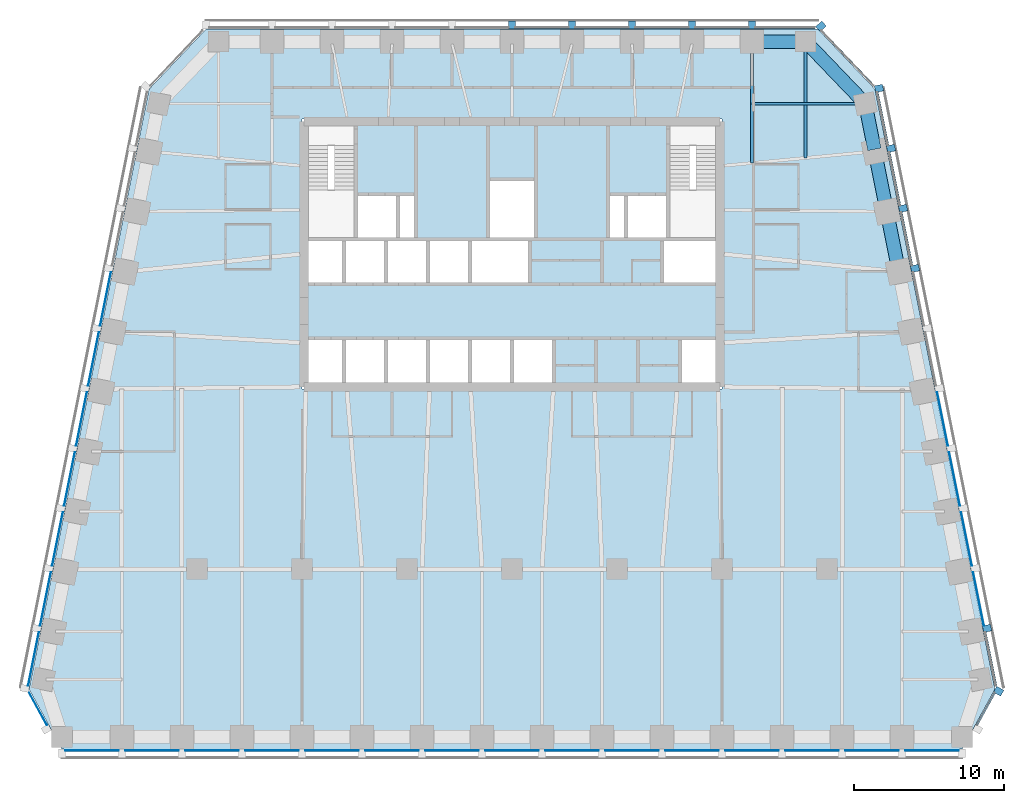
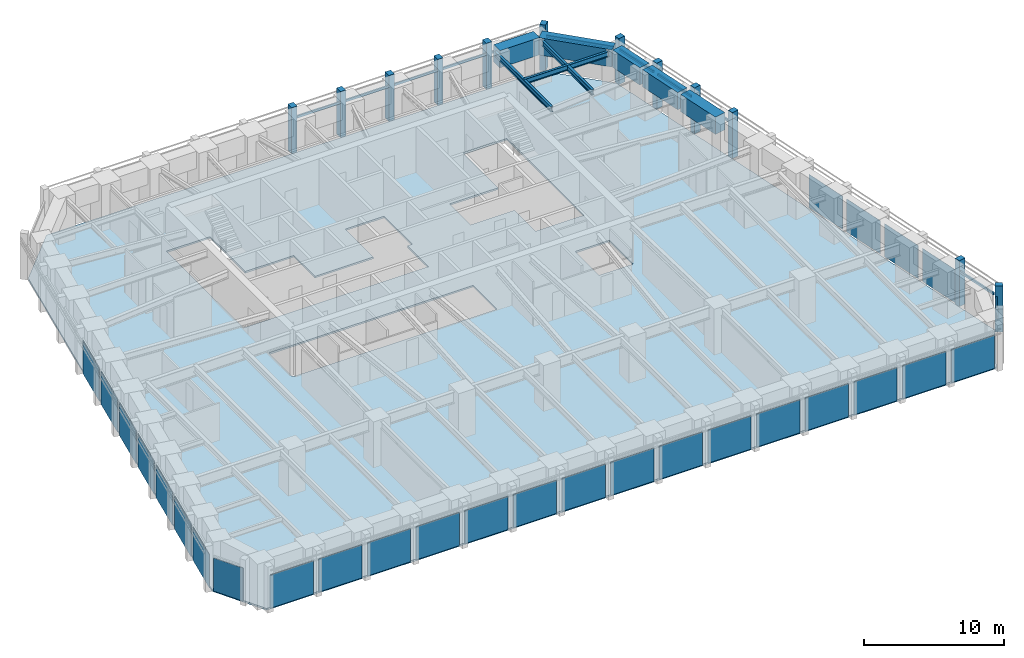
# One storey, part 4 of 10: 27 plates, 23 members, 8 beams, 1 slab, 7 elements without a shape of their own.
"""IFC4 building model written with IfcOpenShell, lengths in metres."""

import ifcopenshell
import ifcopenshell.guid

model = None  # the IFC model being written
_history = None  # IfcOwnerHistory: only IFC2X3 demands one
_inside = {}  # id of a spatial element -> (the spatial element, [elements in it])
_under = {}  # id of a project, library or spatial element -> (it, [spatial elements below it])
_declared = {}  # id of a project -> (the project, [libraries it declares])
_typed = {}  # id of a type object -> (the type object, [elements of that type])
_made_of = {}  # id of a material, layer set ... -> (it, [elements and type objects made of it])


def new_model(schema):
    """Start an empty IFC model of exactly this schema.

    Asked for "IFC4X3", IfcOpenShell would pick the latest addendum, in which some entities
    have other attributes; the version numbers below select the first issue.
    IFC2X3 requires an IfcOwnerHistory on every rooted entity: one is made here for all.
    """
    global model, _history
    if schema == "IFC4X3":
        model = ifcopenshell.file(schema_version=(4, 3, 0, 0))
    else:
        model = ifcopenshell.file(schema=schema)
    _inside.clear()
    _under.clear()
    _declared.clear()
    _typed.clear()
    _made_of.clear()
    _history = None
    if model.schema == "IFC2X3":
        org = make("IfcOrganization", Name="unknown")
        user = make(
            "IfcPersonAndOrganization",
            ThePerson=make("IfcPerson", FamilyName="unknown"),
            TheOrganization=org,
        )
        app = make(
            "IfcApplication",
            ApplicationDeveloper=org,
            Version="unknown",
            ApplicationFullName="unknown",
            ApplicationIdentifier="unknown",
        )
        _history = make(
            "IfcOwnerHistory",
            OwningUser=user,
            OwningApplication=app,
            ChangeAction="ADDED",
            CreationDate=0,
        )
    return model


def make(cls, **values):
    """One entity of the class cls with the attributes given. An attribute that is None is left unset."""
    return model.create_entity(
        cls, **{name: value for name, value in values.items() if value is not None}
    )


def rooted(cls, **values):
    """An entity with a GlobalId (a new one), such as an element, a storey or a relation."""
    return make(cls, GlobalId=ifcopenshell.guid.new(), OwnerHistory=_history, **values)


def si_unit(unit_type, name, prefix=None):
    """IfcSIUnit, for example si_unit("LENGTHUNIT", "METRE", prefix="MILLI")."""
    return make("IfcSIUnit", UnitType=unit_type, Prefix=prefix, Name=name)


def assignment(units):
    """IfcUnitAssignment: the units of a project."""
    return None if units is None else make("IfcUnitAssignment", Units=units)


def point(xyz):
    """IfcCartesianPoint."""
    return None if xyz is None else make("IfcCartesianPoint", Coordinates=xyz)


def direction(xyz):
    """IfcDirection."""
    return None if xyz is None else make("IfcDirection", DirectionRatios=xyz)


def frame(location, z_axis=None, x_axis=None):
    """IfcAxis2Placement3D, a coordinate frame: its origin and axes. An axis left out is left unset."""
    return make(
        "IfcAxis2Placement3D",
        Location=point(location),
        Axis=direction(z_axis),
        RefDirection=direction(x_axis),
    )


def frame_2d(location, x_axis=None):
    """IfcAxis2Placement2D, a coordinate frame in the plane: its origin and x axis."""
    return make(
        "IfcAxis2Placement2D", Location=point(location), RefDirection=direction(x_axis)
    )


def origin():
    """The frame at (0, 0, 0) with its axes left unset."""
    return frame((0.0, 0.0, 0.0))


def origin_2d():
    """The frame at (0, 0) in the plane with its x axis left unset."""
    return frame_2d((0.0, 0.0))


def place(relative_to, where):
    """IfcLocalPlacement: puts the frame where relative to a parent placement (None: the world)."""
    return make(
        "IfcLocalPlacement", PlacementRelTo=relative_to, RelativePlacement=where
    )


def context(
    kind, dimensions, precision=None, world=None, true_north=None, identifier=None
):
    """IfcGeometricRepresentationContext, for example the 3D "Model" context."""
    return make(
        "IfcGeometricRepresentationContext",
        ContextIdentifier=identifier,
        ContextType=kind,
        CoordinateSpaceDimension=dimensions,
        Precision=precision,
        WorldCoordinateSystem=world,
        TrueNorth=true_north,
    )


def subcontext(parent, identifier, kind, view, scale=None):
    """IfcGeometricRepresentationSubContext, for example "Body" below "Model"."""
    return make(
        "IfcGeometricRepresentationSubContext",
        ContextIdentifier=identifier,
        ContextType=kind,
        ParentContext=parent,
        TargetScale=scale,
        TargetView=view,
    )


def project(units=None, contexts=None):
    """IfcProject with its units and contexts."""
    return rooted(
        "IfcProject",
        Name="project",
        RepresentationContexts=contexts,
        UnitsInContext=assignment(units),
    )


def spatial(cls, under=None, at=None, **own):
    """A site, building, storey or space (cls), placed at a placement, below another one or the project."""
    s = rooted(cls, ObjectPlacement=at, **own)
    if under is not None:
        _under.setdefault(under.id(), (under, []))[1].append(s)
    return s


def polyline(points):
    """IfcPolyline through the points."""
    return make("IfcPolyline", Points=[point(p) for p in points])


def profile(cls, at=None, kind="AREA", **sizes):
    """A parametric profile (cls). Its sizes go by their IFC names, for example OverallWidth=200.0."""
    return make(cls, ProfileType=kind, Position=at, **sizes)


def rectangle(**sizes):
    """IfcRectangleProfileDef."""
    return profile("IfcRectangleProfileDef", **sizes)


def i_section(**sizes):
    """IfcIShapeProfileDef."""
    return profile("IfcIShapeProfileDef", **sizes)


def outline(outer, holes=None, kind="AREA"):
    """IfcArbitraryClosedProfileDef: a profile drawn as a closed curve; with holes, ...WithVoids."""
    if holes is None:
        return make("IfcArbitraryClosedProfileDef", ProfileType=kind, OuterCurve=outer)
    return make(
        "IfcArbitraryProfileDefWithVoids",
        ProfileType=kind,
        OuterCurve=outer,
        InnerCurves=holes,
    )


def extrude(swept, where, along, depth):
    """IfcExtrudedAreaSolid: the profile swept, set in the frame where, extruded along a direction by depth."""
    return make(
        "IfcExtrudedAreaSolid",
        SweptArea=swept,
        Position=where,
        ExtrudedDirection=direction(along),
        Depth=depth,
    )


def shape(context_of_items, identifier, shape_type, items):
    """IfcShapeRepresentation: the items that make up one representation, for example the "Body"."""
    return make(
        "IfcShapeRepresentation",
        ContextOfItems=context_of_items,
        RepresentationIdentifier=identifier,
        RepresentationType=shape_type,
        Items=items,
    )


def material(Name=None, Category=None):
    """IfcMaterial."""
    return make("IfcMaterial", Name=Name, Category=Category)


def layer(
    of_material, thickness, ventilated=None, Name=None, Category=None, Priority=None
):
    """IfcMaterialLayer: one layer of a wall or slab, of a material (None: an air gap)."""
    return make(
        "IfcMaterialLayer",
        Material=of_material,
        LayerThickness=thickness,
        IsVentilated=ventilated,
        Name=Name,
        Category=Category,
        Priority=Priority,
    )


def layer_set(layers, Name=None):
    """IfcMaterialLayerSet."""
    return make("IfcMaterialLayerSet", MaterialLayers=layers, LayerSetName=Name)


def material_profile(
    of_material, cross_section, Name=None, Category=None, Priority=None
):
    """IfcMaterialProfile: a cross section and its material."""
    return make(
        "IfcMaterialProfile",
        Name=Name,
        Material=of_material,
        Profile=cross_section,
        Priority=Priority,
        Category=Category,
    )


def profile_set(profiles, Name=None, composite=None):
    """IfcMaterialProfileSet."""
    return make(
        "IfcMaterialProfileSet",
        Name=Name,
        MaterialProfiles=profiles,
        CompositeProfile=composite,
    )


def made_of(thing, what):
    """Note that an element or type object is made of a material, layer set ...; save() writes the relation."""
    if what is not None:
        _made_of.setdefault(what.id(), (what, []))[1].append(thing)
    return thing


def type_object(cls, material=None, **own):
    """A type object (cls), such as IfcWallType, which elements share."""
    return made_of(rooted(cls, **own), material)


def element(
    cls,
    number,
    at=None,
    inside=None,
    cuts=None,
    type_object=None,
    material=None,
    context=None,
    identifier="Body",
    shape_type=None,
    held_by="IfcProductDefinitionShape",
    body=None,
    shapes=None,
    **own,
):
    """One element of the class cls, such as IfcWall. Its Tag is "e" and its number.

    at: its placement. inside: the storey or other place that contains it. cuts: it is an
    opening in that element (IfcRelVoidsElement). A single representation is given by context,
    identifier, shape_type and body (its items); several are given by shapes. held_by: the class
    of the entity that holds the representations. save() writes the other relations.
    """
    e = rooted(cls, Tag="e%d" % number, ObjectPlacement=at, **own)
    if body is not None:
        shapes = [shape(context, identifier, shape_type, body)]
    if shapes is not None:
        e.Representation = make(held_by, Representations=shapes)
    if inside is not None:
        _inside.setdefault(inside.id(), (inside, []))[1].append(e)
    if cuts is not None:
        rooted(
            "IfcRelVoidsElement", RelatingBuildingElement=cuts, RelatedOpeningElement=e
        )
    if type_object is not None:
        _typed.setdefault(type_object.id(), (type_object, []))[1].append(e)
    return made_of(e, material)


def aggregate(whole, parts):
    """IfcRelAggregates: a whole, such as a stair, and the parts it consists of."""
    return rooted("IfcRelAggregates", RelatingObject=whole, RelatedObjects=parts)


def save(model, path):
    """Write the relations noted so far, then the file.

    IfcRelAggregates (storeys below a building ...), IfcRelContainedInSpatialStructure (elements
    in a storey), IfcRelDefinesByType, IfcRelAssociatesMaterial and IfcRelDeclares: one each for
    every whole, place, type object, material and project.
    """
    for whole, parts in _under.values():
        aggregate(whole, parts)
    for where, things in _inside.values():
        rooted(
            "IfcRelContainedInSpatialStructure",
            RelatedElements=things,
            RelatingStructure=where,
        )
    for kind, things in _typed.values():
        rooted("IfcRelDefinesByType", RelatedObjects=things, RelatingType=kind)
    for what, things in _made_of.values():
        rooted("IfcRelAssociatesMaterial", RelatedObjects=things, RelatingMaterial=what)
    for by, libraries in _declared.values():
        rooted("IfcRelDeclares", RelatingContext=by, RelatedDefinitions=libraries)
    model.write(path)


model = new_model("IFC4")

# Units and contexts
model_context = context("Model", 3, precision=1e-05, world=origin(), true_north=direction((0.0, 1.0)))
body_context = subcontext(model_context, "Body", "Model", "MODEL_VIEW")
ifc_project = project(units=[si_unit("LENGTHUNIT", "METRE"), si_unit("AREAUNIT", "SQUARE_METRE"), si_unit("VOLUMEUNIT", "CUBIC_METRE"), si_unit("PLANEANGLEUNIT", "RADIAN"), si_unit("MASSUNIT", "GRAM", prefix="KILO")], contexts=[model_context])

# Site, building, storey
site_placement = place(None, origin())
site = spatial("IfcSite", under=ifc_project, at=site_placement, CompositionType="ELEMENT")
building_placement = place(site_placement, origin())
building = spatial("IfcBuilding", under=site, at=building_placement, Name="Isbrekke Arena Tower", CompositionType="ELEMENT")
storey_placement = place(building_placement, frame((0.0, 0.0, 218.0)))
storey = spatial("IfcBuildingStorey", under=building, at=storey_placement, Name="L50", CompositionType="ELEMENT", Elevation=218.0)

# Beams
ifc_material_1 = material(Name="Steel S355", Category="steel")
ifc_material_profile_1 = material_profile(ifc_material_1, i_section(OverallWidth=0.18994140625, OverallDepth=0.449951171875, WebThickness=0.009521484375, FlangeThickness=0.0146484375, FilletRadius=0.02099609375, at=origin_2d()), Name="IPE 450")
ifc_profile_set_1 = profile_set([ifc_material_profile_1], Name="Steel S355")
beam_type_1 = type_object("IfcBeamType", Name="B2 IPE 450", PredefinedType="BEAM", material=ifc_profile_set_1)
beam_1_placement = place(storey_placement, frame((23.40283203125, 25.029296875, 3.625), z_axis=(-1.0, 0.0, 0.0), x_axis=(0.0, -1.0, 0.0)))
element("IfcBeam", 1, at=beam_1_placement, inside=storey, type_object=beam_type_1, Name="B2 beam E-E11 L50", PredefinedType="BEAM", context=body_context, shape_type="SweptSolid", body=[
    extrude(i_section(OverallWidth=0.18994140625, OverallDepth=0.449951171875, WebThickness=0.009521484375, FlangeThickness=0.0146484375, FilletRadius=0.02099609375, at=origin_2d()), origin(), (0.0, 0.0, 1.0), 7.40283203125),
])
ifc_material_2 = material(Name="Steel S355", Category="steel")
ifc_material_profile_2 = material_profile(ifc_material_2, i_section(OverallWidth=0.18994140625, OverallDepth=0.449951171875, WebThickness=0.009521484375, FlangeThickness=0.0146484375, FilletRadius=0.02099609375, at=origin_2d()), Name="IPE 450")
ifc_profile_set_2 = profile_set([ifc_material_profile_2], Name="Steel S355")
beam_type_2 = type_object("IfcBeamType", Name="B3 IPE 450", PredefinedType="BEAM", material=ifc_profile_set_2)
beam_2_placement = place(storey_placement, frame((19.574951171875, 29.02490234375, 3.625), z_axis=(0.0, -1.0, 0.0), x_axis=(1.0, 0.0, 0.0)))
element("IfcBeam", 2, at=beam_2_placement, inside=storey, type_object=beam_type_2, Name="B3 beam N-N01 L50", PredefinedType="BEAM", context=body_context, shape_type="SweptSolid", body=[
    extrude(i_section(OverallWidth=0.18994140625, OverallDepth=0.449951171875, WebThickness=0.009521484375, FlangeThickness=0.0146484375, FilletRadius=0.02099609375, at=origin_2d()), origin(), (0.0, 0.0, 1.0), 7.6103515625),
])
beam_3_placement = place(storey_placement, frame((16.0, 29.02490234375, 3.625), z_axis=(0.0, -1.0, 0.0), x_axis=(1.0, 0.0, 0.0)))
element("IfcBeam", 3, at=beam_3_placement, inside=storey, type_object=beam_type_2, Name="B3 beam N-N02 L50", PredefinedType="BEAM", context=body_context, shape_type="SweptSolid", body=[
    extrude(i_section(OverallWidth=0.18994140625, OverallDepth=0.449951171875, WebThickness=0.009521484375, FlangeThickness=0.0146484375, FilletRadius=0.02099609375, at=origin_2d()), origin(), (0.0, 0.0, 1.0), 7.949462890625),
])

# Curtain wall, member
ifc_material_3 = material(Name="Glazed aluminium curtain wall", Category="aluminium")
curtain_wall_type = type_object("IfcCurtainWallType", Name="CWH TOWER CURTAIN WALL HIGH ZONE", PredefinedType="USERDEFINED", material=ifc_material_3)
curtain_wall_1_placement = place(storey_placement, origin())
curtain_wall_1 = element("IfcCurtainWall", 4, at=curtain_wall_1_placement, inside=storey, type_object=curtain_wall_type, Name="CWH curtain wall L50-SE", ObjectType="TOWER CURTAIN WALL HIGH ZONE", PredefinedType="USERDEFINED")
ifc_material_4 = material(Name="Aluminium mullion, pale brick slip cladding", Category="masonry")
ifc_material_profile_3 = material_profile(ifc_material_4, rectangle(XDim=0.449951171875, YDim=0.550048828125, at=origin_2d()), Name="PIER 450X550")
ifc_profile_set_3 = profile_set([ifc_material_profile_3], Name="Aluminium mullion, pale brick slip cladding")
member_type_1 = type_object("IfcMemberType", Name="CWH-M PIER MULLION 450 x 550", PredefinedType="MULLION", material=ifc_profile_set_3)
member_1_placement = place(storey_placement, frame((32.44091796875, -14.132568359375, 0.0), z_axis=(0.0, 0.0, 1.0), x_axis=(0.481918749773, 0.876215908676, 0.0)))
member_1 = element("IfcMember", 5, at=member_1_placement, type_object=member_type_1, Name="CWH-M mullion 2", PredefinedType="MULLION", context=body_context, shape_type="SweptSolid", body=[
    extrude(rectangle(XDim=0.449951171875, YDim=0.550048828125, at=origin_2d()), origin(), (0.0, 0.0, 1.0), 4.0),
])

# Curtain wall, members
curtain_wall_2_placement = place(storey_placement, origin())
curtain_wall_2 = element("IfcCurtainWall", 6, at=curtain_wall_2_placement, inside=storey, type_object=curtain_wall_type, Name="CWH curtain wall L50-E", ObjectType="TOWER CURTAIN WALL HIGH ZONE", PredefinedType="USERDEFINED")
member_2_placement = place(storey_placement, frame((31.669677734375, -9.946044921875, 0.0), z_axis=(0.0, 0.0, 1.0), x_axis=(-0.196116135138, 0.980580675691, 0.0)))
member_2 = element("IfcMember", 7, at=member_2_placement, type_object=member_type_1, Name="CWH-M mullion 1", PredefinedType="MULLION", context=body_context, shape_type="SweptSolid", body=[
    extrude(rectangle(XDim=0.449951171875, YDim=0.550048828125, at=origin_2d()), origin(), (0.0, 0.0, 1.0), 4.0),
])
member_3_placement = place(storey_placement, frame((26.86962890625, 14.053955078125, 0.0), z_axis=(0.0, 0.0, 1.0), x_axis=(-0.196116135138, 0.980580675691, 0.0)))
member_3 = element("IfcMember", 8, at=member_3_placement, type_object=member_type_1, Name="CWH-M mullion 7", PredefinedType="MULLION", context=body_context, shape_type="SweptSolid", body=[
    extrude(rectangle(XDim=0.449951171875, YDim=0.550048828125, at=origin_2d()), origin(), (0.0, 0.0, 1.0), 4.0),
])
member_4_placement = place(storey_placement, frame((26.069580078125, 18.053955078125, 0.0), z_axis=(0.0, 0.0, 1.0), x_axis=(-0.196116135138, 0.980580675691, 0.0)))
member_4 = element("IfcMember", 9, at=member_4_placement, type_object=member_type_1, Name="CWH-M mullion 8", PredefinedType="MULLION", context=body_context, shape_type="SweptSolid", body=[
    extrude(rectangle(XDim=0.449951171875, YDim=0.550048828125, at=origin_2d()), origin(), (0.0, 0.0, 1.0), 4.0),
])
member_5_placement = place(storey_placement, frame((25.269775390625, 22.053955078125, 0.0), z_axis=(0.0, 0.0, 1.0), x_axis=(-0.196116135138, 0.980580675691, 0.0)))
member_5 = element("IfcMember", 10, at=member_5_placement, type_object=member_type_1, Name="CWH-M mullion 9", PredefinedType="MULLION", context=body_context, shape_type="SweptSolid", body=[
    extrude(rectangle(XDim=0.449951171875, YDim=0.550048828125, at=origin_2d()), origin(), (0.0, 0.0, 1.0), 4.0),
])
member_6_placement = place(storey_placement, frame((24.4697265625, 26.053955078125, 0.0), z_axis=(0.0, 0.0, 1.0), x_axis=(-0.196116135138, 0.980580675691, 0.0)))
member_6 = element("IfcMember", 11, at=member_6_placement, type_object=member_type_1, Name="CWH-M mullion 10", PredefinedType="MULLION", context=body_context, shape_type="SweptSolid", body=[
    extrude(rectangle(XDim=0.449951171875, YDim=0.550048828125, at=origin_2d()), origin(), (0.0, 0.0, 1.0), 4.0),
])

# Curtain wall, member
curtain_wall_3_placement = place(storey_placement, origin())
curtain_wall_3 = element("IfcCurtainWall", 12, at=curtain_wall_3_placement, inside=storey, type_object=curtain_wall_type, Name="CWH curtain wall L50-EN", ObjectType="TOWER CURTAIN WALL HIGH ZONE", PredefinedType="USERDEFINED")
member_7_placement = place(storey_placement, frame((20.599365234375, 30.189453125, 0.0), z_axis=(0.0, 0.0, 1.0), x_axis=(-0.68874946192, 0.72499943359, 0.0)))
member_7 = element("IfcMember", 13, at=member_7_placement, type_object=member_type_1, Name="CWH-M mullion 1", PredefinedType="MULLION", context=body_context, shape_type="SweptSolid", body=[
    extrude(rectangle(XDim=0.449951171875, YDim=0.550048828125, at=origin_2d()), origin(), (0.0, 0.0, 1.0), 4.0),
])

# Curtain wall, members
curtain_wall_4_placement = place(storey_placement, origin())
curtain_wall_4 = element("IfcCurtainWall", 14, at=curtain_wall_4_placement, inside=storey, type_object=curtain_wall_type, Name="CWH curtain wall L50-N", ObjectType="TOWER CURTAIN WALL HIGH ZONE", PredefinedType="USERDEFINED")
member_8_placement = place(storey_placement, frame((16.0, 30.27490234375, 0.0), z_axis=(0.0, 0.0, 1.0), x_axis=(-1.0, 0.0, 0.0)))
member_8 = element("IfcMember", 15, at=member_8_placement, type_object=member_type_1, Name="CWH-M mullion 1", PredefinedType="MULLION", context=body_context, shape_type="SweptSolid", body=[
    extrude(rectangle(XDim=0.449951171875, YDim=0.550048828125, at=origin_2d()), origin(), (0.0, 0.0, 1.0), 4.0),
])
member_9_placement = place(storey_placement, frame((12.0, 30.27490234375, 0.0), z_axis=(0.0, 0.0, 1.0), x_axis=(-1.0, 0.0, 0.0)))
member_9 = element("IfcMember", 16, at=member_9_placement, type_object=member_type_1, Name="CWH-M mullion 2", PredefinedType="MULLION", context=body_context, shape_type="SweptSolid", body=[
    extrude(rectangle(XDim=0.449951171875, YDim=0.550048828125, at=origin_2d()), origin(), (0.0, 0.0, 1.0), 4.0),
])
member_10_placement = place(storey_placement, frame((8.0, 30.27490234375, 0.0), z_axis=(0.0, 0.0, 1.0), x_axis=(-1.0, 0.0, 0.0)))
member_10 = element("IfcMember", 17, at=member_10_placement, type_object=member_type_1, Name="CWH-M mullion 3", PredefinedType="MULLION", context=body_context, shape_type="SweptSolid", body=[
    extrude(rectangle(XDim=0.449951171875, YDim=0.550048828125, at=origin_2d()), origin(), (0.0, 0.0, 1.0), 4.0),
])
member_11_placement = place(storey_placement, frame((4.0, 30.27490234375, 0.0), z_axis=(0.0, 0.0, 1.0), x_axis=(-1.0, 0.0, 0.0)))
member_11 = element("IfcMember", 18, at=member_11_placement, type_object=member_type_1, Name="CWH-M mullion 4", PredefinedType="MULLION", context=body_context, shape_type="SweptSolid", body=[
    extrude(rectangle(XDim=0.449951171875, YDim=0.550048828125, at=origin_2d()), origin(), (0.0, 0.0, 1.0), 4.0),
])
member_12_placement = place(storey_placement, frame((0.0, 30.27490234375, 0.0), z_axis=(0.0, 0.0, 1.0), x_axis=(-1.0, 0.0, 0.0)))
member_12 = element("IfcMember", 19, at=member_12_placement, type_object=member_type_1, Name="CWH-M mullion 5", PredefinedType="MULLION", context=body_context, shape_type="SweptSolid", body=[
    extrude(rectangle(XDim=0.449951171875, YDim=0.550048828125, at=origin_2d()), origin(), (0.0, 0.0, 1.0), 4.0),
])

# Member
ifc_material_5 = material(Name="Aluminium transom", Category="aluminium")
ifc_material_profile_4 = material_profile(ifc_material_5, rectangle(XDim=0.1201171875, YDim=0.199951171875, at=origin_2d()), Name="TRANSOM 120X200")
ifc_profile_set_4 = profile_set([ifc_material_profile_4], Name="Aluminium transom")
member_type_2 = type_object("IfcMemberType", Name="CWH-T TRANSOM 120 x 200", PredefinedType="USERDEFINED", material=ifc_profile_set_4)
member_13_placement = place(storey_placement, frame((31.002197265625, -16.38525390625, 3.0), z_axis=(0.481937937062, 0.876205355393, 0.0), x_axis=(-0.876205355393, 0.481937937062, 0.0)))
member_13 = element("IfcMember", 20, at=member_13_placement, type_object=member_type_2, Name="CWH-T transom 1", ObjectType="TRANSOM", PredefinedType="USERDEFINED", context=body_context, shape_type="SweptSolid", body=[
    extrude(rectangle(XDim=0.1201171875, YDim=0.199951171875, at=origin_2d()), origin(), (0.0, 0.0, 1.0), 2.442138671875),
])

aggregate(curtain_wall_1, [member_1, member_13])

member_14_placement = place(storey_placement, frame((32.25390625, -13.759765625, 3.0), z_axis=(-0.196090262229, 0.980585849918, 0.0), x_axis=(-0.980585849918, -0.196090262229, 0.0)))
member_14 = element("IfcMember", 21, at=member_14_placement, type_object=member_type_2, Name="CWH-T transom 1", ObjectType="TRANSOM", PredefinedType="USERDEFINED", context=body_context, shape_type="SweptSolid", body=[
    extrude(rectangle(XDim=0.1201171875, YDim=0.199951171875, at=origin_2d()), origin(), (0.0, 0.0, 1.0), 3.62939453125),
])

member_15_placement = place(storey_placement, frame((26.654052734375, 14.240234375, 3.0), z_axis=(-0.196154943734, 0.980572913173, 0.0), x_axis=(-0.980572913173, -0.196154943734, 0.0)))
member_15 = element("IfcMember", 22, at=member_15_placement, type_object=member_type_2, Name="CWH-T transom 8", ObjectType="TRANSOM", PredefinedType="USERDEFINED", context=body_context, shape_type="SweptSolid", body=[
    extrude(rectangle(XDim=0.1201171875, YDim=0.199951171875, at=origin_2d()), origin(), (0.0, 0.0, 1.0), 3.62939453125),
])

member_16_placement = place(storey_placement, frame((25.85400390625, 18.240234375, 3.0), z_axis=(-0.196154943734, 0.980572913173, 0.0), x_axis=(-0.980572913173, -0.196154943734, 0.0)))
member_16 = element("IfcMember", 23, at=member_16_placement, type_object=member_type_2, Name="CWH-T transom 9", ObjectType="TRANSOM", PredefinedType="USERDEFINED", context=body_context, shape_type="SweptSolid", body=[
    extrude(rectangle(XDim=0.1201171875, YDim=0.199951171875, at=origin_2d()), origin(), (0.0, 0.0, 1.0), 3.62939453125),
])

member_17_placement = place(storey_placement, frame((25.053955078125, 22.240234375, 3.0), z_axis=(-0.196090262229, 0.980585849918, 0.0), x_axis=(-0.980585849918, -0.196090262229, 0.0)))
member_17 = element("IfcMember", 24, at=member_17_placement, type_object=member_type_2, Name="CWH-T transom 10", ObjectType="TRANSOM", PredefinedType="USERDEFINED", context=body_context, shape_type="SweptSolid", body=[
    extrude(rectangle(XDim=0.1201171875, YDim=0.199951171875, at=origin_2d()), origin(), (0.0, 0.0, 1.0), 3.62939453125),
])

member_18_placement = place(storey_placement, frame((24.117431640625, 26.23193359375, 3.0), z_axis=(-0.688734266994, 0.725013868466, 0.0), x_axis=(-0.725013868466, -0.688734266994, 0.0)))
member_18 = element("IfcMember", 25, at=member_18_placement, type_object=member_type_2, Name="CWH-T transom 1", ObjectType="TRANSOM", PredefinedType="USERDEFINED", context=body_context, shape_type="SweptSolid", body=[
    extrude(rectangle(XDim=0.1201171875, YDim=0.199951171875, at=origin_2d()), origin(), (0.0, 0.0, 1.0), 5.067138671875),
])

aggregate(curtain_wall_3, [member_7, member_18])

member_19_placement = place(storey_placement, frame((20.175048828125, 30.10009765625, 3.0), z_axis=(-1.0, 0.0, 0.0), x_axis=(0.0, -1.0, 0.0)))
member_19 = element("IfcMember", 26, at=member_19_placement, type_object=member_type_2, Name="CWH-T transom 1", ObjectType="TRANSOM", PredefinedType="USERDEFINED", context=body_context, shape_type="SweptSolid", body=[
    extrude(rectangle(XDim=0.1201171875, YDim=0.199951171875, at=origin_2d()), origin(), (0.0, 0.0, 1.0), 3.949951171875),
])

member_20_placement = place(storey_placement, frame((15.77490234375, 30.10009765625, 3.0), z_axis=(-1.0, 0.0, 0.0), x_axis=(0.0, -1.0, 0.0)))
member_20 = element("IfcMember", 27, at=member_20_placement, type_object=member_type_2, Name="CWH-T transom 2", ObjectType="TRANSOM", PredefinedType="USERDEFINED", context=body_context, shape_type="SweptSolid", body=[
    extrude(rectangle(XDim=0.1201171875, YDim=0.199951171875, at=origin_2d()), origin(), (0.0, 0.0, 1.0), 3.5498046875),
])

member_21_placement = place(storey_placement, frame((11.77490234375, 30.10009765625, 3.0), z_axis=(-1.0, 0.0, 0.0), x_axis=(0.0, -1.0, 0.0)))
member_21 = element("IfcMember", 28, at=member_21_placement, type_object=member_type_2, Name="CWH-T transom 3", ObjectType="TRANSOM", PredefinedType="USERDEFINED", context=body_context, shape_type="SweptSolid", body=[
    extrude(rectangle(XDim=0.1201171875, YDim=0.199951171875, at=origin_2d()), origin(), (0.0, 0.0, 1.0), 3.5498046875),
])

member_22_placement = place(storey_placement, frame((7.77490234375, 30.10009765625, 3.0), z_axis=(-1.0, 0.0, 0.0), x_axis=(0.0, -1.0, 0.0)))
member_22 = element("IfcMember", 29, at=member_22_placement, type_object=member_type_2, Name="CWH-T transom 4", ObjectType="TRANSOM", PredefinedType="USERDEFINED", context=body_context, shape_type="SweptSolid", body=[
    extrude(rectangle(XDim=0.1201171875, YDim=0.199951171875, at=origin_2d()), origin(), (0.0, 0.0, 1.0), 3.5498046875),
])

member_23_placement = place(storey_placement, frame((3.77490234375, 30.10009765625, 3.0), z_axis=(-1.0, 0.0, 0.0), x_axis=(0.0, -1.0, 0.0)))
member_23 = element("IfcMember", 30, at=member_23_placement, type_object=member_type_2, Name="CWH-T transom 5", ObjectType="TRANSOM", PredefinedType="USERDEFINED", context=body_context, shape_type="SweptSolid", body=[
    extrude(rectangle(XDim=0.1201171875, YDim=0.199951171875, at=origin_2d()), origin(), (0.0, 0.0, 1.0), 3.5498046875),
])

aggregate(curtain_wall_4, [member_8, member_9, member_10, member_11, member_12, member_19, member_20, member_21, member_22, member_23])

# Beams
ifc_material_6 = material(Name="Concrete B65 (C65/80)", Category="concrete")
ifc_material_profile_5 = material_profile(ifc_material_6, rectangle(XDim=0.89990234375, YDim=1.5, at=origin_2d()), Name="RC 900x1500")
ifc_profile_set_5 = profile_set([ifc_material_profile_5], Name="Concrete B65 (C65/80)")
beam_type_3 = type_object("IfcBeamType", Name="SB3 RC 900 x 1500", PredefinedType="SPANDREL", material=ifc_profile_set_5)
for number, where, z_axis, x_axis, name in (
    (31, (25.76171875, 13.9853515625, 3.25), (-0.196128558387, 0.980578190959, 0.0), (-0.980578190959, -0.196128558387, 0.0), "SB3 spandrel E08-E09 L50"),
    (32, (24.961669921875, 17.9853515625, 3.25), (-0.196128558387, 0.980578190959, 0.0), (-0.980578190959, -0.196128558387, 0.0), "SB3 spandrel E09-E10 L50"),
):
    element("IfcBeam", number, at=place(storey_placement, frame(where, z_axis=z_axis, x_axis=x_axis)), inside=storey, type_object=beam_type_3, Name=name, PredefinedType="SPANDREL", context=body_context, shape_type="SweptSolid", body=[
        extrude(rectangle(XDim=0.89990234375, YDim=1.5, at=origin_2d()), origin(), (0.0, 0.0, 1.0), 3.779296875),
    ])
beam_4_placement = place(storey_placement, frame((24.16162109375, 21.9853515625, 3.25), z_axis=(-0.196116135138, 0.980580675691, 0.0), x_axis=(-0.980580675691, -0.196116135138, 0.0)))
element("IfcBeam", 33, at=beam_4_placement, inside=storey, type_object=beam_type_3, Name="SB3 spandrel E10-E11 L50", PredefinedType="SPANDREL", context=body_context, shape_type="SweptSolid", body=[
    extrude(rectangle(XDim=0.89990234375, YDim=1.5, at=origin_2d()), origin(), (0.0, 0.0, 1.0), 2.9541015625),
])
beam_5_placement = place(storey_placement, frame((23.448974609375, 25.137451171875, 3.25), z_axis=(-0.692339547635, 0.721571861134, 0.0), x_axis=(-0.721571861134, -0.692339547635, 0.0)))
element("IfcBeam", 34, at=beam_5_placement, inside=storey, type_object=beam_type_3, Name="SB3 spandrel E11-N01 L50", PredefinedType="SPANDREL", context=body_context, shape_type="SweptSolid", body=[
    extrude(rectangle(XDim=0.89990234375, YDim=1.5, at=origin_2d()), origin(), (0.0, 0.0, 1.0), 5.4453125),
])
beam_6_placement = place(storey_placement, frame((19.425048828125, 29.175048828125, 3.25), z_axis=(-1.0, 0.0, 0.0), x_axis=(0.0, -1.0, 0.0)))
element("IfcBeam", 35, at=beam_6_placement, inside=storey, type_object=beam_type_3, Name="SB3 spandrel N01-N02 L50", PredefinedType="SPANDREL", context=body_context, shape_type="SweptSolid", body=[
    extrude(rectangle(XDim=0.89990234375, YDim=1.5, at=origin_2d()), origin(), (0.0, 0.0, 1.0), 3.275146484375),
])

# Curtain wall, plates
curtain_wall_5_placement = place(storey_placement, origin())
curtain_wall_5 = element("IfcCurtainWall", 36, at=curtain_wall_5_placement, inside=storey, type_object=curtain_wall_type, Name="CWH curtain wall L50-S", ObjectType="TOWER CURTAIN WALL HIGH ZONE", PredefinedType="USERDEFINED")
ifc_material_7 = material(Name="Triple-glazed clear glass unit", Category="glass")
ifc_layer_1 = layer(ifc_material_7, 0.031982421875)
ifc_layer_set_1 = layer_set([ifc_layer_1], Name="CWH-P VISION PANEL")
plate_type = type_object("IfcPlateType", Name="CWH-P VISION PANEL", PredefinedType="CURTAIN_PANEL", material=ifc_layer_set_1)
plate_1_placement = place(storey_placement, frame((-28.0, -18.10009765625, 0.02001953125), z_axis=(0.0, 0.0, 1.0), x_axis=(1.0, 0.0, 0.0)))
plate_1 = element("IfcPlate", 37, at=plate_1_placement, type_object=plate_type, Name="CWH-P panel 1", PredefinedType="CURTAIN_PANEL", context=body_context, shape_type="SweptSolid", body=[
    extrude(rectangle(XDim=3.550048828125, YDim=0.031982421875, at=origin_2d()), origin(), (0.0, 0.0, 1.0), 2.8798828125),
])
plate_2_placement = place(storey_placement, frame((-24.0, -18.10009765625, 0.02001953125), z_axis=(0.0, 0.0, 1.0), x_axis=(1.0, 0.0, 0.0)))
plate_2 = element("IfcPlate", 38, at=plate_2_placement, type_object=plate_type, Name="CWH-P panel 2", PredefinedType="CURTAIN_PANEL", context=body_context, shape_type="SweptSolid", body=[
    extrude(rectangle(XDim=3.550048828125, YDim=0.031982421875, at=origin_2d()), origin(), (0.0, 0.0, 1.0), 2.8798828125),
])
plate_3_placement = place(storey_placement, frame((-20.0, -18.10009765625, 0.02001953125), z_axis=(0.0, 0.0, 1.0), x_axis=(1.0, 0.0, 0.0)))
plate_3 = element("IfcPlate", 39, at=plate_3_placement, type_object=plate_type, Name="CWH-P panel 3", PredefinedType="CURTAIN_PANEL", context=body_context, shape_type="SweptSolid", body=[
    extrude(rectangle(XDim=3.550048828125, YDim=0.031982421875, at=origin_2d()), origin(), (0.0, 0.0, 1.0), 2.8798828125),
])
plate_4_placement = place(storey_placement, frame((-16.0, -18.10009765625, 0.02001953125), z_axis=(0.0, 0.0, 1.0), x_axis=(1.0, 0.0, 0.0)))
plate_4 = element("IfcPlate", 40, at=plate_4_placement, type_object=plate_type, Name="CWH-P panel 4", PredefinedType="CURTAIN_PANEL", context=body_context, shape_type="SweptSolid", body=[
    extrude(rectangle(XDim=3.550048828125, YDim=0.031982421875, at=origin_2d()), origin(), (0.0, 0.0, 1.0), 2.8798828125),
])
plate_5_placement = place(storey_placement, frame((-12.0, -18.10009765625, 0.02001953125), z_axis=(0.0, 0.0, 1.0), x_axis=(1.0, 0.0, 0.0)))
plate_5 = element("IfcPlate", 41, at=plate_5_placement, type_object=plate_type, Name="CWH-P panel 5", PredefinedType="CURTAIN_PANEL", context=body_context, shape_type="SweptSolid", body=[
    extrude(rectangle(XDim=3.550048828125, YDim=0.031982421875, at=origin_2d()), origin(), (0.0, 0.0, 1.0), 2.8798828125),
])
plate_6_placement = place(storey_placement, frame((-8.0, -18.10009765625, 0.02001953125), z_axis=(0.0, 0.0, 1.0), x_axis=(1.0, 0.0, 0.0)))
plate_6 = element("IfcPlate", 42, at=plate_6_placement, type_object=plate_type, Name="CWH-P panel 6", PredefinedType="CURTAIN_PANEL", context=body_context, shape_type="SweptSolid", body=[
    extrude(rectangle(XDim=3.550048828125, YDim=0.031982421875, at=origin_2d()), origin(), (0.0, 0.0, 1.0), 2.8798828125),
])
plate_7_placement = place(storey_placement, frame((-4.0, -18.10009765625, 0.02001953125), z_axis=(0.0, 0.0, 1.0), x_axis=(1.0, 0.0, 0.0)))
plate_7 = element("IfcPlate", 43, at=plate_7_placement, type_object=plate_type, Name="CWH-P panel 7", PredefinedType="CURTAIN_PANEL", context=body_context, shape_type="SweptSolid", body=[
    extrude(rectangle(XDim=3.550048828125, YDim=0.031982421875, at=origin_2d()), origin(), (0.0, 0.0, 1.0), 2.8798828125),
])
plate_8_placement = place(storey_placement, frame((0.0, -18.10009765625, 0.02001953125), z_axis=(0.0, 0.0, 1.0), x_axis=(1.0, 0.0, 0.0)))
plate_8 = element("IfcPlate", 44, at=plate_8_placement, type_object=plate_type, Name="CWH-P panel 8", PredefinedType="CURTAIN_PANEL", context=body_context, shape_type="SweptSolid", body=[
    extrude(rectangle(XDim=3.550048828125, YDim=0.031982421875, at=origin_2d()), origin(), (0.0, 0.0, 1.0), 2.8798828125),
])
plate_9_placement = place(storey_placement, frame((4.0, -18.10009765625, 0.02001953125), z_axis=(0.0, 0.0, 1.0), x_axis=(1.0, 0.0, 0.0)))
plate_9 = element("IfcPlate", 45, at=plate_9_placement, type_object=plate_type, Name="CWH-P panel 9", PredefinedType="CURTAIN_PANEL", context=body_context, shape_type="SweptSolid", body=[
    extrude(rectangle(XDim=3.550048828125, YDim=0.031982421875, at=origin_2d()), origin(), (0.0, 0.0, 1.0), 2.8798828125),
])
plate_10_placement = place(storey_placement, frame((8.0, -18.10009765625, 0.02001953125), z_axis=(0.0, 0.0, 1.0), x_axis=(1.0, 0.0, 0.0)))
plate_10 = element("IfcPlate", 46, at=plate_10_placement, type_object=plate_type, Name="CWH-P panel 10", PredefinedType="CURTAIN_PANEL", context=body_context, shape_type="SweptSolid", body=[
    extrude(rectangle(XDim=3.550048828125, YDim=0.031982421875, at=origin_2d()), origin(), (0.0, 0.0, 1.0), 2.8798828125),
])
plate_11_placement = place(storey_placement, frame((12.0, -18.10009765625, 0.02001953125), z_axis=(0.0, 0.0, 1.0), x_axis=(1.0, 0.0, 0.0)))
plate_11 = element("IfcPlate", 47, at=plate_11_placement, type_object=plate_type, Name="CWH-P panel 11", PredefinedType="CURTAIN_PANEL", context=body_context, shape_type="SweptSolid", body=[
    extrude(rectangle(XDim=3.550048828125, YDim=0.031982421875, at=origin_2d()), origin(), (0.0, 0.0, 1.0), 2.8798828125),
])
plate_12_placement = place(storey_placement, frame((16.0, -18.10009765625, 0.02001953125), z_axis=(0.0, 0.0, 1.0), x_axis=(1.0, 0.0, 0.0)))
plate_12 = element("IfcPlate", 48, at=plate_12_placement, type_object=plate_type, Name="CWH-P panel 12", PredefinedType="CURTAIN_PANEL", context=body_context, shape_type="SweptSolid", body=[
    extrude(rectangle(XDim=3.550048828125, YDim=0.031982421875, at=origin_2d()), origin(), (0.0, 0.0, 1.0), 2.8798828125),
])
plate_13_placement = place(storey_placement, frame((20.0, -18.10009765625, 0.02001953125), z_axis=(0.0, 0.0, 1.0), x_axis=(1.0, 0.0, 0.0)))
plate_13 = element("IfcPlate", 49, at=plate_13_placement, type_object=plate_type, Name="CWH-P panel 13", PredefinedType="CURTAIN_PANEL", context=body_context, shape_type="SweptSolid", body=[
    extrude(rectangle(XDim=3.550048828125, YDim=0.031982421875, at=origin_2d()), origin(), (0.0, 0.0, 1.0), 2.8798828125),
])
plate_14_placement = place(storey_placement, frame((24.0, -18.10009765625, 0.02001953125), z_axis=(0.0, 0.0, 1.0), x_axis=(1.0, 0.0, 0.0)))
plate_14 = element("IfcPlate", 50, at=plate_14_placement, type_object=plate_type, Name="CWH-P panel 14", PredefinedType="CURTAIN_PANEL", context=body_context, shape_type="SweptSolid", body=[
    extrude(rectangle(XDim=3.550048828125, YDim=0.031982421875, at=origin_2d()), origin(), (0.0, 0.0, 1.0), 2.8798828125),
])
plate_15_placement = place(storey_placement, frame((28.0, -18.10009765625, 0.02001953125), z_axis=(0.0, 0.0, 1.0), x_axis=(1.0, 0.0, 0.0)))
plate_15 = element("IfcPlate", 51, at=plate_15_placement, type_object=plate_type, Name="CWH-P panel 15", PredefinedType="CURTAIN_PANEL", context=body_context, shape_type="SweptSolid", body=[
    extrude(rectangle(XDim=3.550048828125, YDim=0.031982421875, at=origin_2d()), origin(), (0.0, 0.0, 1.0), 2.8798828125),
])
aggregate(curtain_wall_5, [plate_1, plate_2, plate_3, plate_4, plate_5, plate_6, plate_7, plate_8, plate_9, plate_10, plate_11, plate_12, plate_13, plate_14, plate_15])

# Plate
plate_16_placement = place(storey_placement, frame((31.09814453125, -7.98046875, 0.02001953125), z_axis=(0.0, 0.0, 1.0), x_axis=(-0.196116135138, 0.980580675691, 0.0)))
plate_16 = element("IfcPlate", 52, at=plate_16_placement, type_object=plate_type, Name="CWH-P panel 2", PredefinedType="CURTAIN_PANEL", context=body_context, shape_type="SweptSolid", body=[
    extrude(rectangle(XDim=3.629150390625, YDim=0.031982421875, at=origin_2d()), origin(), (0.0, 0.0, 1.0), 2.8798828125),
])

plate_17_placement = place(storey_placement, frame((30.298095703125, -3.98046875, 0.02001953125), z_axis=(0.0, 0.0, 1.0), x_axis=(-0.196116135138, 0.980580675691, 0.0)))
plate_17 = element("IfcPlate", 53, at=plate_17_placement, type_object=plate_type, Name="CWH-P panel 3", PredefinedType="CURTAIN_PANEL", context=body_context, shape_type="SweptSolid", body=[
    extrude(rectangle(XDim=3.629150390625, YDim=0.031982421875, at=origin_2d()), origin(), (0.0, 0.0, 1.0), 2.8798828125),
])

plate_18_placement = place(storey_placement, frame((29.498046875, 0.01953125, 0.02001953125), z_axis=(0.0, 0.0, 1.0), x_axis=(-0.196116135138, 0.980580675691, 0.0)))
plate_18 = element("IfcPlate", 54, at=plate_18_placement, type_object=plate_type, Name="CWH-P panel 4", PredefinedType="CURTAIN_PANEL", context=body_context, shape_type="SweptSolid", body=[
    extrude(rectangle(XDim=3.629150390625, YDim=0.031982421875, at=origin_2d()), origin(), (0.0, 0.0, 1.0), 2.8798828125),
])

plate_19_placement = place(storey_placement, frame((28.697998046875, 4.01953125, 0.02001953125), z_axis=(0.0, 0.0, 1.0), x_axis=(-0.196116135138, 0.980580675691, 0.0)))
plate_19 = element("IfcPlate", 55, at=plate_19_placement, type_object=plate_type, Name="CWH-P panel 5", PredefinedType="CURTAIN_PANEL", context=body_context, shape_type="SweptSolid", body=[
    extrude(rectangle(XDim=3.629150390625, YDim=0.031982421875, at=origin_2d()), origin(), (0.0, 0.0, 1.0), 2.8798828125),
])

aggregate(curtain_wall_2, [member_2, member_3, member_4, member_5, member_6, member_14, plate_16, plate_17, plate_18, plate_19, member_15, member_16, member_17])

# Curtain wall, plates
curtain_wall_6_placement = place(storey_placement, origin())
curtain_wall_6 = element("IfcCurtainWall", 56, at=curtain_wall_6_placement, inside=storey, type_object=curtain_wall_type, Name="CWH curtain wall L50-W", ObjectType="TOWER CURTAIN WALL HIGH ZONE", PredefinedType="USERDEFINED")
plate_20_placement = place(storey_placement, frame((-27.09814453125, 12.01953125, 0.02001953125), z_axis=(0.0, 0.0, 1.0), x_axis=(-0.196116135138, -0.980580675691, 0.0)))
plate_20 = element("IfcPlate", 57, at=plate_20_placement, type_object=plate_type, Name="CWH-P panel 4", PredefinedType="CURTAIN_PANEL", context=body_context, shape_type="SweptSolid", body=[
    extrude(rectangle(XDim=3.629150390625, YDim=0.031982421875, at=origin_2d()), origin(), (0.0, 0.0, 1.0), 2.8798828125),
])
plate_21_placement = place(storey_placement, frame((-27.89794921875, 8.01953125, 0.02001953125), z_axis=(0.0, 0.0, 1.0), x_axis=(-0.196116135138, -0.980580675691, 0.0)))
plate_21 = element("IfcPlate", 58, at=plate_21_placement, type_object=plate_type, Name="CWH-P panel 5", PredefinedType="CURTAIN_PANEL", context=body_context, shape_type="SweptSolid", body=[
    extrude(rectangle(XDim=3.629150390625, YDim=0.031982421875, at=origin_2d()), origin(), (0.0, 0.0, 1.0), 2.8798828125),
])
plate_22_placement = place(storey_placement, frame((-28.697998046875, 4.01953125, 0.02001953125), z_axis=(0.0, 0.0, 1.0), x_axis=(-0.196116135138, -0.980580675691, 0.0)))
plate_22 = element("IfcPlate", 59, at=plate_22_placement, type_object=plate_type, Name="CWH-P panel 6", PredefinedType="CURTAIN_PANEL", context=body_context, shape_type="SweptSolid", body=[
    extrude(rectangle(XDim=3.629150390625, YDim=0.031982421875, at=origin_2d()), origin(), (0.0, 0.0, 1.0), 2.8798828125),
])
plate_23_placement = place(storey_placement, frame((-29.498046875, 0.01953125, 0.02001953125), z_axis=(0.0, 0.0, 1.0), x_axis=(-0.196116135138, -0.980580675691, 0.0)))
plate_23 = element("IfcPlate", 60, at=plate_23_placement, type_object=plate_type, Name="CWH-P panel 7", PredefinedType="CURTAIN_PANEL", context=body_context, shape_type="SweptSolid", body=[
    extrude(rectangle(XDim=3.629150390625, YDim=0.031982421875, at=origin_2d()), origin(), (0.0, 0.0, 1.0), 2.8798828125),
])
plate_24_placement = place(storey_placement, frame((-30.298095703125, -3.98046875, 0.02001953125), z_axis=(0.0, 0.0, 1.0), x_axis=(-0.196116135138, -0.980580675691, 0.0)))
plate_24 = element("IfcPlate", 61, at=plate_24_placement, type_object=plate_type, Name="CWH-P panel 8", PredefinedType="CURTAIN_PANEL", context=body_context, shape_type="SweptSolid", body=[
    extrude(rectangle(XDim=3.629150390625, YDim=0.031982421875, at=origin_2d()), origin(), (0.0, 0.0, 1.0), 2.8798828125),
])
plate_25_placement = place(storey_placement, frame((-31.09814453125, -7.98046875, 0.02001953125), z_axis=(0.0, 0.0, 1.0), x_axis=(-0.196116135138, -0.980580675691, 0.0)))
plate_25 = element("IfcPlate", 62, at=plate_25_placement, type_object=plate_type, Name="CWH-P panel 9", PredefinedType="CURTAIN_PANEL", context=body_context, shape_type="SweptSolid", body=[
    extrude(rectangle(XDim=3.629150390625, YDim=0.031982421875, at=origin_2d()), origin(), (0.0, 0.0, 1.0), 2.8798828125),
])
plate_26_placement = place(storey_placement, frame((-31.89794921875, -11.98046875, 0.02001953125), z_axis=(0.0, 0.0, 1.0), x_axis=(-0.196116135138, -0.980580675691, 0.0)))
plate_26 = element("IfcPlate", 63, at=plate_26_placement, type_object=plate_type, Name="CWH-P panel 10", PredefinedType="CURTAIN_PANEL", context=body_context, shape_type="SweptSolid", body=[
    extrude(rectangle(XDim=3.629150390625, YDim=0.031982421875, at=origin_2d()), origin(), (0.0, 0.0, 1.0), 2.8798828125),
])
aggregate(curtain_wall_6, [plate_20, plate_21, plate_22, plate_23, plate_24, plate_25, plate_26])

# Curtain wall, plate
curtain_wall_7_placement = place(storey_placement, origin())
curtain_wall_7 = element("IfcCurtainWall", 64, at=curtain_wall_7_placement, inside=storey, type_object=curtain_wall_type, Name="CWH curtain wall L50-WS", ObjectType="TOWER CURTAIN WALL HIGH ZONE", PredefinedType="USERDEFINED")
plate_27_placement = place(storey_placement, frame((-31.59033203125, -15.31591796875, 0.02001953125), z_axis=(0.0, 0.0, 1.0), x_axis=(0.481918749773, -0.876215908676, 0.0)))
plate_27 = element("IfcPlate", 65, at=plate_27_placement, type_object=plate_type, Name="CWH-P panel 1", PredefinedType="CURTAIN_PANEL", context=body_context, shape_type="SweptSolid", body=[
    extrude(rectangle(XDim=2.443603515625, YDim=0.031982421875, at=origin_2d()), origin(), (0.0, 0.0, 1.0), 2.8798828125),
])
aggregate(curtain_wall_7, [plate_27])

# Slab
ifc_material_8 = material(Name="Concrete B35 (C35/45)", Category="concrete")
ifc_layer_2 = layer(ifc_material_8, 0.14990234375)
ifc_layer_set_2 = layer_set([ifc_layer_2], Name="FS1 COMPOSITE FLOOR 150")
slab_type = type_object("IfcSlabType", Name="FS1 COMPOSITE FLOOR 150", PredefinedType="FLOOR", material=ifc_layer_set_2)
slab_placement = place(storey_placement, frame((0.0, 0.0, -0.14990234375)))
element("IfcSlab", 66, at=slab_placement, inside=storey, type_object=slab_type, Name="FS1 floor slab L50", PredefinedType="FLOOR", context=body_context, shape_type="SweptSolid", body=[
    extrude(outline(polyline([(-30.0, -18.0), (30.0, -18.0), (32.199951171875, -14.0), (24.199951171875, 26.0), (20.39990234375, 30.0), (-20.39990234375, 30.0), (-24.199951171875, 26.0), (-32.199951171875, -14.0), (-30.0, -18.0)]), holes=[polyline([(2.800048828125, 9.39990234375), (2.800048828125, 6.0), (-14.0, 6.0), (-14.0, 9.39990234375), (2.800048828125, 9.39990234375)]), polyline([(11.199951171875, 6.0), (11.199951171875, 9.39990234375), (14.0, 9.39990234375), (14.0, 6.0), (11.199951171875, 6.0)]), polyline([(-14.0, 13.0), (-14.0, 24.0), (-10.39990234375, 24.0), (-10.39990234375, 19.0), (-6.39990234375, 19.0), (-6.39990234375, 16.0), (-1.60009765625, 16.0), (-1.60009765625, 20.0), (1.60009765625, 20.0), (1.60009765625, 16.0), (1.199951171875, 16.0), (1.199951171875, 13.0), (-14.0, 13.0)]), polyline([(10.0, 13.0), (10.0, 16.0), (6.39990234375, 16.0), (6.39990234375, 19.0), (10.39990234375, 19.0), (10.39990234375, 24.0), (14.0, 24.0), (14.0, 13.0), (10.0, 13.0)])]), origin(), (0.0, 0.0, 1.0), 0.14990234375),
])

save(model, "model.ifc")
